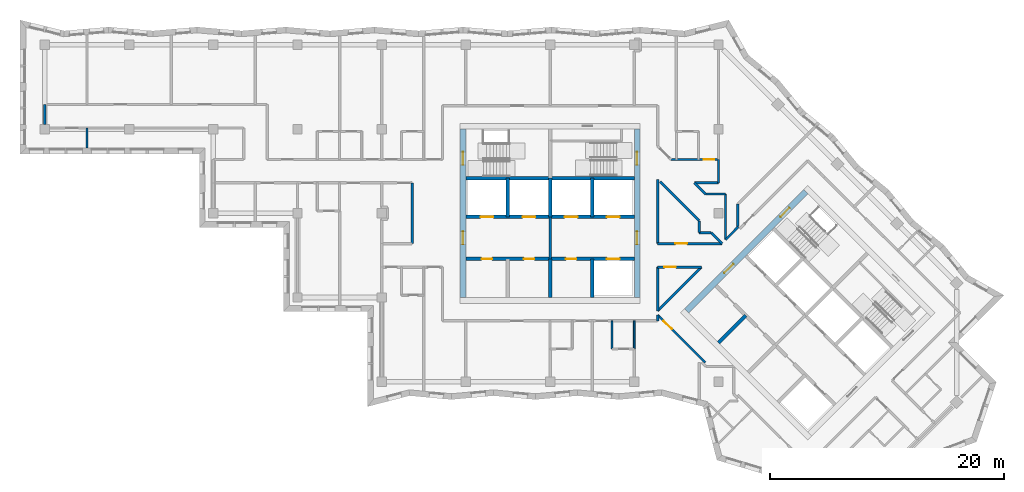
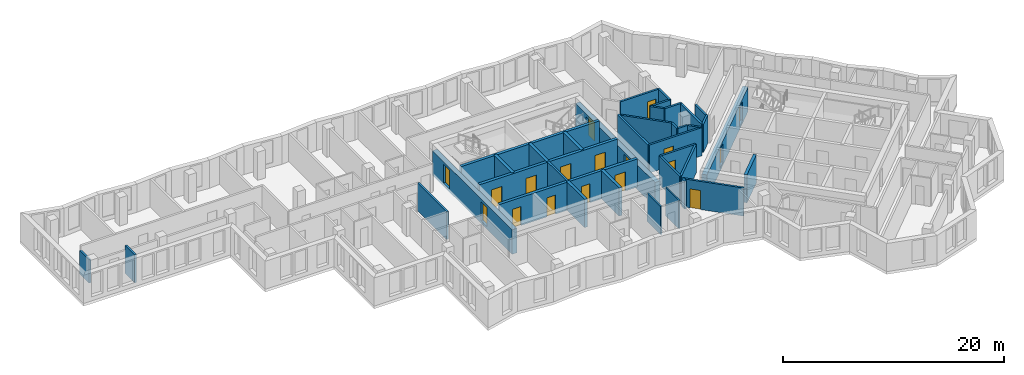
# One storey, part 4 of 11: 38 walls, 18 doors, 18 openings.
"""IFC4 building model written with IfcOpenShell, lengths in metres."""

import ifcopenshell
import ifcopenshell.guid

model = None  # the IFC model being written
_history = None  # IfcOwnerHistory: only IFC2X3 demands one
_inside = {}  # id of a spatial element -> (the spatial element, [elements in it])
_under = {}  # id of a project, library or spatial element -> (it, [spatial elements below it])
_declared = {}  # id of a project -> (the project, [libraries it declares])
_typed = {}  # id of a type object -> (the type object, [elements of that type])
_made_of = {}  # id of a material, layer set ... -> (it, [elements and type objects made of it])


def new_model(schema):
    """Start an empty IFC model of exactly this schema.

    Asked for "IFC4X3", IfcOpenShell would pick the latest addendum, in which some entities
    have other attributes; the version numbers below select the first issue.
    IFC2X3 requires an IfcOwnerHistory on every rooted entity: one is made here for all.
    """
    global model, _history
    if schema == "IFC4X3":
        model = ifcopenshell.file(schema_version=(4, 3, 0, 0))
    else:
        model = ifcopenshell.file(schema=schema)
    _inside.clear()
    _under.clear()
    _declared.clear()
    _typed.clear()
    _made_of.clear()
    _history = None
    if model.schema == "IFC2X3":
        org = make("IfcOrganization", Name="unknown")
        user = make(
            "IfcPersonAndOrganization",
            ThePerson=make("IfcPerson", FamilyName="unknown"),
            TheOrganization=org,
        )
        app = make(
            "IfcApplication",
            ApplicationDeveloper=org,
            Version="unknown",
            ApplicationFullName="unknown",
            ApplicationIdentifier="unknown",
        )
        _history = make(
            "IfcOwnerHistory",
            OwningUser=user,
            OwningApplication=app,
            ChangeAction="ADDED",
            CreationDate=0,
        )
    return model


def make(cls, **values):
    """One entity of the class cls with the attributes given. An attribute that is None is left unset."""
    return model.create_entity(
        cls, **{name: value for name, value in values.items() if value is not None}
    )


def rooted(cls, **values):
    """An entity with a GlobalId (a new one), such as an element, a storey or a relation."""
    return make(cls, GlobalId=ifcopenshell.guid.new(), OwnerHistory=_history, **values)


def si_unit(unit_type, name, prefix=None):
    """IfcSIUnit, for example si_unit("LENGTHUNIT", "METRE", prefix="MILLI")."""
    return make("IfcSIUnit", UnitType=unit_type, Prefix=prefix, Name=name)


def assignment(units):
    """IfcUnitAssignment: the units of a project."""
    return None if units is None else make("IfcUnitAssignment", Units=units)


def point(xyz):
    """IfcCartesianPoint."""
    return None if xyz is None else make("IfcCartesianPoint", Coordinates=xyz)


def direction(xyz):
    """IfcDirection."""
    return None if xyz is None else make("IfcDirection", DirectionRatios=xyz)


def frame(location, z_axis=None, x_axis=None):
    """IfcAxis2Placement3D, a coordinate frame: its origin and axes. An axis left out is left unset."""
    return make(
        "IfcAxis2Placement3D",
        Location=point(location),
        Axis=direction(z_axis),
        RefDirection=direction(x_axis),
    )


def frame_2d(location, x_axis=None):
    """IfcAxis2Placement2D, a coordinate frame in the plane: its origin and x axis."""
    return make(
        "IfcAxis2Placement2D", Location=point(location), RefDirection=direction(x_axis)
    )


def origin():
    """The frame at (0, 0, 0) with its axes left unset."""
    return frame((0.0, 0.0, 0.0))


def place(relative_to, where):
    """IfcLocalPlacement: puts the frame where relative to a parent placement (None: the world)."""
    return make(
        "IfcLocalPlacement", PlacementRelTo=relative_to, RelativePlacement=where
    )


def context(
    kind, dimensions, precision=None, world=None, true_north=None, identifier=None
):
    """IfcGeometricRepresentationContext, for example the 3D "Model" context."""
    return make(
        "IfcGeometricRepresentationContext",
        ContextIdentifier=identifier,
        ContextType=kind,
        CoordinateSpaceDimension=dimensions,
        Precision=precision,
        WorldCoordinateSystem=world,
        TrueNorth=true_north,
    )


def subcontext(parent, identifier, kind, view, scale=None):
    """IfcGeometricRepresentationSubContext, for example "Body" below "Model"."""
    return make(
        "IfcGeometricRepresentationSubContext",
        ContextIdentifier=identifier,
        ContextType=kind,
        ParentContext=parent,
        TargetScale=scale,
        TargetView=view,
    )


def project(units=None, contexts=None):
    """IfcProject with its units and contexts."""
    return rooted(
        "IfcProject",
        Name="project",
        RepresentationContexts=contexts,
        UnitsInContext=assignment(units),
    )


def spatial(cls, under=None, at=None, **own):
    """A site, building, storey or space (cls), placed at a placement, below another one or the project."""
    s = rooted(cls, ObjectPlacement=at, **own)
    if under is not None:
        _under.setdefault(under.id(), (under, []))[1].append(s)
    return s


def profile(cls, at=None, kind="AREA", **sizes):
    """A parametric profile (cls). Its sizes go by their IFC names, for example OverallWidth=200.0."""
    return make(cls, ProfileType=kind, Position=at, **sizes)


def rectangle(**sizes):
    """IfcRectangleProfileDef."""
    return profile("IfcRectangleProfileDef", **sizes)


def extrude(swept, where, along, depth):
    """IfcExtrudedAreaSolid: the profile swept, set in the frame where, extruded along a direction by depth."""
    return make(
        "IfcExtrudedAreaSolid",
        SweptArea=swept,
        Position=where,
        ExtrudedDirection=direction(along),
        Depth=depth,
    )


def shape(context_of_items, identifier, shape_type, items):
    """IfcShapeRepresentation: the items that make up one representation, for example the "Body"."""
    return make(
        "IfcShapeRepresentation",
        ContextOfItems=context_of_items,
        RepresentationIdentifier=identifier,
        RepresentationType=shape_type,
        Items=items,
    )


def material(Name=None, Category=None):
    """IfcMaterial."""
    return make("IfcMaterial", Name=Name, Category=Category)


def layer(
    of_material, thickness, ventilated=None, Name=None, Category=None, Priority=None
):
    """IfcMaterialLayer: one layer of a wall or slab, of a material (None: an air gap)."""
    return make(
        "IfcMaterialLayer",
        Material=of_material,
        LayerThickness=thickness,
        IsVentilated=ventilated,
        Name=Name,
        Category=Category,
        Priority=Priority,
    )


def layer_set(layers, Name=None):
    """IfcMaterialLayerSet."""
    return make("IfcMaterialLayerSet", MaterialLayers=layers, LayerSetName=Name)


def made_of(thing, what):
    """Note that an element or type object is made of a material, layer set ...; save() writes the relation."""
    if what is not None:
        _made_of.setdefault(what.id(), (what, []))[1].append(thing)
    return thing


def type_object(cls, material=None, **own):
    """A type object (cls), such as IfcWallType, which elements share."""
    return made_of(rooted(cls, **own), material)


def element(
    cls,
    number,
    at=None,
    inside=None,
    cuts=None,
    type_object=None,
    material=None,
    context=None,
    identifier="Body",
    shape_type=None,
    held_by="IfcProductDefinitionShape",
    body=None,
    shapes=None,
    **own,
):
    """One element of the class cls, such as IfcWall. Its Tag is "e" and its number.

    at: its placement. inside: the storey or other place that contains it. cuts: it is an
    opening in that element (IfcRelVoidsElement). A single representation is given by context,
    identifier, shape_type and body (its items); several are given by shapes. held_by: the class
    of the entity that holds the representations. save() writes the other relations.
    """
    e = rooted(cls, Tag="e%d" % number, ObjectPlacement=at, **own)
    if body is not None:
        shapes = [shape(context, identifier, shape_type, body)]
    if shapes is not None:
        e.Representation = make(held_by, Representations=shapes)
    if inside is not None:
        _inside.setdefault(inside.id(), (inside, []))[1].append(e)
    if cuts is not None:
        rooted(
            "IfcRelVoidsElement", RelatingBuildingElement=cuts, RelatedOpeningElement=e
        )
    if type_object is not None:
        _typed.setdefault(type_object.id(), (type_object, []))[1].append(e)
    return made_of(e, material)


def fill(opening, filler):
    """IfcRelFillsElement: the door or window that sits in an opening."""
    return rooted(
        "IfcRelFillsElement",
        RelatingOpeningElement=opening,
        RelatedBuildingElement=filler,
    )


def aggregate(whole, parts):
    """IfcRelAggregates: a whole, such as a stair, and the parts it consists of."""
    return rooted("IfcRelAggregates", RelatingObject=whole, RelatedObjects=parts)


def save(model, path):
    """Write the relations noted so far, then the file.

    IfcRelAggregates (storeys below a building ...), IfcRelContainedInSpatialStructure (elements
    in a storey), IfcRelDefinesByType, IfcRelAssociatesMaterial and IfcRelDeclares: one each for
    every whole, place, type object, material and project.
    """
    for whole, parts in _under.values():
        aggregate(whole, parts)
    for where, things in _inside.values():
        rooted(
            "IfcRelContainedInSpatialStructure",
            RelatedElements=things,
            RelatingStructure=where,
        )
    for kind, things in _typed.values():
        rooted("IfcRelDefinesByType", RelatedObjects=things, RelatingType=kind)
    for what, things in _made_of.values():
        rooted("IfcRelAssociatesMaterial", RelatedObjects=things, RelatingMaterial=what)
    for by, libraries in _declared.values():
        rooted("IfcRelDeclares", RelatingContext=by, RelatedDefinitions=libraries)
    model.write(path)


model = new_model("IFC4")

# Units and contexts
model_context = context("Model", 3, precision=1e-05, world=origin(), true_north=direction((0.0, 1.0)))
body_context = subcontext(model_context, "Body", "Model", "MODEL_VIEW")
ifc_project = project(units=[si_unit("LENGTHUNIT", "METRE"), si_unit("AREAUNIT", "SQUARE_METRE"), si_unit("VOLUMEUNIT", "CUBIC_METRE"), si_unit("PLANEANGLEUNIT", "RADIAN"), si_unit("MASSUNIT", "GRAM", prefix="KILO")], contexts=[model_context])

# Site, building, storey
site_placement = place(None, origin())
site = spatial("IfcSite", under=ifc_project, at=site_placement, CompositionType="ELEMENT")
building_placement = place(site_placement, origin())
building = spatial("IfcBuilding", under=site, at=building_placement, Name="Windrow Commons", CompositionType="ELEMENT")
storey_placement = place(building_placement, frame((0.0, 0.0, 193.0)))
storey = spatial("IfcBuildingStorey", under=building, at=storey_placement, Name="L52", CompositionType="ELEMENT", Elevation=193.0)

# Wall
ifc_material_1 = material(Name="Blockwork partition", Category="masonry")
ifc_layer_1 = layer(ifc_material_1, 0.2)
ifc_layer_set_1 = layer_set([ifc_layer_1], Name="Fire lobby partition 200")
wall_type_1 = type_object("IfcWallType", Name="Fire lobby partition 200", PredefinedType="PARTITIONING", material=ifc_layer_set_1)
wall_1_placement = place(storey_placement, frame((64.8, 53.7, 0.0), z_axis=(0.0, 0.0, 1.0), x_axis=(0.0, 1.0, 0.0)))
element("IfcWall", 1, at=wall_1_placement, inside=storey, type_object=wall_type_1, Name="W-core-lobby-A-L52", PredefinedType="PARTITIONING", context=body_context, shape_type="SweptSolid", body=[
    extrude(rectangle(XDim=3.6, YDim=0.2, at=frame_2d((1.8, 0.0))), origin(), (0.0, 0.0, 1.0), 3.1),
])

# Wall, opening, door
ifc_material_2 = material(Name="Blockwork partition", Category="masonry")
ifc_layer_2 = layer(ifc_material_2, 0.2)
ifc_layer_set_2 = layer_set([ifc_layer_2], Name="IW-CORRIDOR-200")
wall_type_2 = type_object("IfcWallType", Name="IW-CORRIDOR-200", PredefinedType="PARTITIONING", material=ifc_layer_set_2)
wall_2_placement = place(storey_placement, frame((73.9987, 48.9107, 0.0), z_axis=(0.0, 0.0, 1.0), x_axis=(0.7071067812, -0.7071067812, 0.0)))
wall_2 = element("IfcWall", 2, at=wall_2_placement, inside=storey, type_object=wall_type_2, Name="W-L52-W028", PredefinedType="PARTITIONING", context=body_context, shape_type="SweptSolid", body=[
    extrude(rectangle(XDim=5.7445, YDim=0.2, at=frame_2d((2.8723, 0.0))), origin(), (0.0, 0.0, 1.0), 3.1),
])
opening_1_placement = place(wall_2_placement, frame((0.7238, 0.0, 0.0)))
opening_1 = element("IfcOpeningElement", 3, at=opening_1_placement, cuts=wall_2, Name="Opening D310F", PredefinedType="OPENING", context=body_context, shape_type="SweptSolid", body=[
    extrude(rectangle(XDim=1.0, YDim=2.1, at=frame_2d((0.5, 1.05))), frame((0.0, 0.11, 0.0), z_axis=(0.0, -1.0, 0.0), x_axis=(1.0, 0.0, 0.0)), (0.0, 0.0, 1.0), 0.22),
])
ifc_material_3 = material(Name="Timber door leaf", Category="wood")
door_type_1 = type_object("IfcDoorType", Name="DT-AMENITY-1000", OperationType="SINGLE_SWING_LEFT", PredefinedType="DOOR", material=ifc_material_3)
door_1_placement = place(opening_1_placement, origin())
door_1 = element("IfcDoor", 4, at=door_1_placement, inside=storey, type_object=door_type_1, Name="D-L52-D030", OperationType="SINGLE_SWING_LEFT", OverallHeight=2.1, OverallWidth=1.0, PredefinedType="DOOR", context=body_context, shape_type="SweptSolid", body=[
    extrude(rectangle(XDim=1.0, YDim=2.1, at=frame_2d((0.5, 1.05))), frame((0.0, 0.025, 0.0), z_axis=(0.0, -1.0, 0.0), x_axis=(1.0, 0.0, 0.0)), (0.0, 0.0, 1.0), 0.05),
])
fill(opening_1, door_1)

wall_3_placement = place(storey_placement, frame((74.002, 55.0, 0.0), z_axis=(0.0, 0.0, 1.0), x_axis=(1.0, 0.0, 0.0)))
wall_3 = element("IfcWall", 5, at=wall_3_placement, inside=storey, type_object=wall_type_2, Name="W-L52-W030", PredefinedType="PARTITIONING", context=body_context, shape_type="SweptSolid", body=[
    extrude(rectangle(XDim=5.508, YDim=0.2, at=frame_2d((2.754, 0.0))), origin(), (0.0, 0.0, 1.0), 3.1),
])
opening_2_placement = place(wall_3_placement, frame((1.51, 0.0, 0.0)))
opening_2 = element("IfcOpeningElement", 6, at=opening_2_placement, cuts=wall_3, Name="Opening D410F", PredefinedType="OPENING", context=body_context, shape_type="SweptSolid", body=[
    extrude(rectangle(XDim=1.0, YDim=2.1, at=frame_2d((0.5, 1.05))), frame((0.0, 0.11, 0.0), z_axis=(0.0, -1.0, 0.0), x_axis=(1.0, 0.0, 0.0)), (0.0, 0.0, 1.0), 0.22),
])
ifc_material_4 = material(Name="Timber door leaf", Category="wood")
door_type_2 = type_object("IfcDoorType", Name="DT-SERVICE-1000", OperationType="SINGLE_SWING_LEFT", PredefinedType="DOOR", material=ifc_material_4)
door_2_placement = place(opening_2_placement, origin())
door_2 = element("IfcDoor", 7, at=door_2_placement, inside=storey, type_object=door_type_2, Name="D-L52-D031", OperationType="SINGLE_SWING_LEFT", OverallHeight=2.1, OverallWidth=1.0, PredefinedType="DOOR", context=body_context, shape_type="SweptSolid", body=[
    extrude(rectangle(XDim=1.0, YDim=2.1, at=frame_2d((0.5, 1.05))), frame((0.0, 0.025, 0.0), z_axis=(0.0, -1.0, 0.0), x_axis=(1.0, 0.0, 0.0)), (0.0, 0.0, 1.0), 0.05),
])
fill(opening_2, door_2)

# Walls
wall_4_placement = place(storey_placement, frame((74.0, 55.002, 0.0), z_axis=(0.0, 0.0, 1.0), x_axis=(0.0, 1.0, 0.0)))
element("IfcWall", 8, at=wall_4_placement, inside=storey, type_object=wall_type_2, Name="W-L52-W031", PredefinedType="PARTITIONING", context=body_context, shape_type="SweptSolid", body=[
    extrude(rectangle(XDim=5.508, YDim=0.2, at=frame_2d((2.754, 0.0))), origin(), (0.0, 0.0, 1.0), 3.1),
])
wall_5_placement = place(storey_placement, frame((74.0013, 49.2667, 0.0), z_axis=(0.0, 0.0, 1.0), x_axis=(0.7071067812, 0.7071067812, 0.0)))
element("IfcWall", 9, at=wall_5_placement, inside=storey, type_object=wall_type_2, Name="W-L52-W032", PredefinedType="PARTITIONING", context=body_context, shape_type="SweptSolid", body=[
    extrude(rectangle(XDim=5.2778, YDim=0.2, at=frame_2d((2.6389, 0.0))), origin(), (0.0, 0.0, 1.0), 3.1),
])
wall_6_placement = place(storey_placement, frame((53.0, 55.002, 0.0), z_axis=(0.0, 0.0, 1.0), x_axis=(0.0, 1.0, 0.0)))
element("IfcWall", 10, at=wall_6_placement, inside=storey, type_object=wall_type_2, Name="W-L52-W036", PredefinedType="PARTITIONING", context=body_context, shape_type="SweptSolid", body=[
    extrude(rectangle(XDim=5.198, YDim=0.2, at=frame_2d((2.599, 0.0))), origin(), (0.0, 0.0, 1.0), 3.1),
])
wall_7_placement = place(storey_placement, frame((74.1969, 60.3089, 0.0), z_axis=(0.0, 0.0, 1.0), x_axis=(0.7071067812, -0.7071067812, 0.0)))
element("IfcWall", 11, at=wall_7_placement, inside=storey, type_object=wall_type_2, Name="W-L52-W040", PredefinedType="PARTITIONING", context=body_context, shape_type="SweptSolid", body=[
    extrude(rectangle(XDim=4.7376, YDim=0.2, at=frame_2d((2.3688, 0.0))), origin(), (0.0, 0.0, 1.0), 3.1),
])

# Wall, opening, door
wall_8_placement = place(storey_placement, frame((75.142, 62.2, 0.0), z_axis=(0.0, 0.0, 1.0), x_axis=(1.0, 0.0, 0.0)))
wall_8 = element("IfcWall", 12, at=wall_8_placement, inside=storey, type_object=wall_type_2, Name="W-L52-W045", PredefinedType="PARTITIONING", context=body_context, shape_type="SweptSolid", body=[
    extrude(rectangle(XDim=4.058, YDim=0.2, at=frame_2d((2.029, 0.0))), origin(), (0.0, 0.0, 1.0), 3.1),
])
opening_3_placement = place(wall_8_placement, frame((2.808, 0.0, 0.0)))
opening_3 = element("IfcOpeningElement", 13, at=opening_3_placement, cuts=wall_8, Name="Opening D109S", PredefinedType="OPENING", context=body_context, shape_type="SweptSolid", body=[
    extrude(rectangle(XDim=0.9, YDim=2.1, at=frame_2d((0.45, 1.05))), frame((0.0, 0.11, 0.0), z_axis=(0.0, -1.0, 0.0), x_axis=(1.0, 0.0, 0.0)), (0.0, 0.0, 1.0), 0.22),
])
ifc_material_5 = material(Name="Timber door leaf", Category="wood")
door_type_3 = type_object("IfcDoorType", Name="DT-BEDROOM-900", OperationType="SINGLE_SWING_LEFT", PredefinedType="DOOR", material=ifc_material_5)
door_3_placement = place(opening_3_placement, origin())
door_3 = element("IfcDoor", 14, at=door_3_placement, inside=storey, type_object=door_type_3, Name="D-L52-D018", OperationType="SINGLE_SWING_LEFT", OverallHeight=2.1, OverallWidth=0.9, PredefinedType="DOOR", context=body_context, shape_type="SweptSolid", body=[
    extrude(rectangle(XDim=0.9, YDim=2.1, at=frame_2d((0.45, 1.05))), frame((0.0, 0.025, 0.0), z_axis=(0.0, -1.0, 0.0), x_axis=(1.0, 0.0, 0.0)), (0.0, 0.0, 1.0), 0.05),
])
fill(opening_3, door_3)

# Walls
wall_9_placement = place(storey_placement, frame((79.8, 55.35, 0.0), z_axis=(0.0, 0.0, 1.0), x_axis=(0.0, 1.0, 0.0)))
element("IfcWall", 15, at=wall_9_placement, inside=storey, type_object=wall_type_2, Name="W-L52-W047", PredefinedType="PARTITIONING", context=body_context, shape_type="SweptSolid", body=[
    extrude(rectangle(XDim=3.9, YDim=0.2, at=frame_2d((1.95, 0.0))), origin(), (0.0, 0.0, 1.0), 3.1),
])
wall_10_placement = place(storey_placement, frame((74.0, 49.266, 0.0), z_axis=(0.0, 0.0, 1.0), x_axis=(0.0, 1.0, 0.0)))
element("IfcWall", 16, at=wall_10_placement, inside=storey, type_object=wall_type_2, Name="W-L52-W049", PredefinedType="PARTITIONING", context=body_context, shape_type="SweptSolid", body=[
    extrude(rectangle(XDim=3.734, YDim=0.2, at=frame_2d((1.867, 0.0))), origin(), (0.0, 0.0, 1.0), 3.1),
])

# Wall, opening, door
wall_11_placement = place(storey_placement, frame((74.002, 53.0, 0.0), z_axis=(0.0, 0.0, 1.0), x_axis=(1.0, 0.0, 0.0)))
wall_11 = element("IfcWall", 17, at=wall_11_placement, inside=storey, type_object=wall_type_2, Name="W-L52-W050", PredefinedType="PARTITIONING", context=body_context, shape_type="SweptSolid", body=[
    extrude(rectangle(XDim=3.732, YDim=0.2, at=frame_2d((1.866, 0.0))), origin(), (0.0, 0.0, 1.0), 3.1),
])
opening_4_placement = place(wall_11_placement, frame((0.5641, 0.0, 0.0)))
opening_4 = element("IfcOpeningElement", 18, at=opening_4_placement, cuts=wall_11, Name="Opening D410F", PredefinedType="OPENING", context=body_context, shape_type="SweptSolid", body=[
    extrude(rectangle(XDim=1.0, YDim=2.1, at=frame_2d((0.5, 1.05))), frame((0.0, 0.11, 0.0), z_axis=(0.0, -1.0, 0.0), x_axis=(1.0, 0.0, 0.0)), (0.0, 0.0, 1.0), 0.22),
])
door_4_placement = place(opening_4_placement, origin())
door_4 = element("IfcDoor", 19, at=door_4_placement, inside=storey, type_object=door_type_2, Name="D-L52-D000", OperationType="SINGLE_SWING_RIGHT", OverallHeight=2.1, OverallWidth=1.0, PredefinedType="DOOR", context=body_context, shape_type="SweptSolid", body=[
    extrude(rectangle(XDim=1.0, YDim=2.1, at=frame_2d((0.5, 1.05))), frame((0.0, 0.025, 0.0), z_axis=(0.0, -1.0, 0.0), x_axis=(1.0, 0.0, 0.0)), (0.0, 0.0, 1.0), 0.05),
])
fill(opening_4, door_4)

# Walls
wall_12_placement = place(storey_placement, frame((77.144, 60.2, 0.0), z_axis=(0.0, 0.0, 1.0), x_axis=(1.0, 0.0, 0.0)))
element("IfcWall", 20, at=wall_12_placement, inside=storey, type_object=wall_type_2, Name="W-L52-W094", PredefinedType="PARTITIONING", context=body_context, shape_type="SweptSolid", body=[
    extrude(rectangle(XDim=2.056, YDim=0.2, at=frame_2d((1.028, 0.0))), origin(), (0.0, 0.0, 1.0), 3.1),
])
wall_13_placement = place(storey_placement, frame((79.2, 60.2, 0.0), z_axis=(0.0, 0.0, 1.0), x_axis=(0.0, 1.0, 0.0)))
element("IfcWall", 21, at=wall_13_placement, inside=storey, type_object=wall_type_2, Name="W-L52-W100", PredefinedType="PARTITIONING", context=body_context, shape_type="SweptSolid", body=[
    extrude(rectangle(XDim=2.0, YDim=0.2, at=frame_2d((1.0, 0.0))), origin(), (0.0, 0.0, 1.0), 3.1),
])
wall_14_placement = place(storey_placement, frame((78.092, 59.25, 0.0), z_axis=(0.0, 0.0, 1.0), x_axis=(1.0, 0.0, 0.0)))
element("IfcWall", 22, at=wall_14_placement, inside=storey, type_object=wall_type_2, Name="W-L52-W112", PredefinedType="PARTITIONING", context=body_context, shape_type="SweptSolid", body=[
    extrude(rectangle(XDim=1.708, YDim=0.2, at=frame_2d((0.854, 0.0))), origin(), (0.0, 0.0, 1.0), 3.1),
])
wall_15_placement = place(storey_placement, frame((21.6, 65.2, 0.0), z_axis=(0.0, 0.0, 1.0), x_axis=(0.0, 1.0, 0.0)))
element("IfcWall", 23, at=wall_15_placement, inside=storey, type_object=wall_type_2, Name="W-L52-W113", PredefinedType="PARTITIONING", context=body_context, shape_type="SweptSolid", body=[
    extrude(rectangle(XDim=1.698, YDim=0.2, at=frame_2d((0.849, 0.0))), origin(), (0.0, 0.0, 1.0), 2.6),
])
wall_16_placement = place(storey_placement, frame((79.8028, 55.3472, 0.0), z_axis=(0.0, 0.0, 1.0), x_axis=(0.706460727, 0.7077522457, 0.0)))
element("IfcWall", 24, at=wall_16_placement, inside=storey, type_object=wall_type_2, Name="W-L52-W116", PredefinedType="PARTITIONING", context=body_context, shape_type="SweptSolid", body=[
    extrude(rectangle(XDim=1.5486, YDim=0.2, at=frame_2d((0.7743, 0.0))), origin(), (0.0, 0.0, 1.0), 3.1),
])
for number, where, z_axis, x_axis, name in (
    (25, (78.5589, 55.9469, 0.0), (0.0, 0.0, 1.0), (0.7071067812, -0.7071067812, 0.0), "W-L52-W119"),
    (26, (77.1391, 60.1951, 0.0), (0.0, 0.0, 1.0), (0.7071067812, -0.7071067812, 0.0), "W-L52-W120"),
):
    element("IfcWall", number, at=place(storey_placement, frame(where, z_axis=z_axis, x_axis=x_axis)), inside=storey, type_object=wall_type_2, Name=name, PredefinedType="PARTITIONING", context=body_context, shape_type="SweptSolid", body=[
        extrude(rectangle(XDim=1.3407, YDim=0.2, at=frame_2d((0.6704, 0.0))), origin(), (0.0, 0.0, 1.0), 3.1),
    ])
for number, where, z_axis, x_axis, name in (
    (27, (77.55, 55.952, 0.0), (0.0, 0.0, 1.0), (0.0, 1.0, 0.0), "W-L52-W124"),
    (28, (77.552, 55.95, 0.0), (0.0, 0.0, 1.0), (1.0, 0.0, 0.0), "W-L52-W125"),
):
    element("IfcWall", number, at=place(storey_placement, frame(where, z_axis=z_axis, x_axis=x_axis)), inside=storey, type_object=wall_type_2, Name=name, PredefinedType="PARTITIONING", context=body_context, shape_type="SweptSolid", body=[
        extrude(rectangle(XDim=1.01, YDim=0.2, at=frame_2d((0.505, 0.0))), origin(), (0.0, 0.0, 1.0), 3.1),
    ])
wall_17_placement = place(storey_placement, frame((74.0, 48.4, 0.0), z_axis=(0.0, 0.0, 1.0), x_axis=(0.0, 1.0, 0.0)))
element("IfcWall", 29, at=wall_17_placement, inside=storey, type_object=wall_type_2, Name="W-L52-W129", PredefinedType="PARTITIONING", context=body_context, shape_type="SweptSolid", body=[
    extrude(rectangle(XDim=0.514, YDim=0.2, at=frame_2d((0.257, 0.0))), origin(), (0.0, 0.0, 1.0), 3.1),
])
ifc_material_6 = material(Name="Blockwork partition", Category="masonry")
ifc_layer_3 = layer(ifc_material_6, 0.15)
ifc_layer_set_3 = layer_set([ifc_layer_3], Name="IW-ENSUITE-150")
wall_type_3 = type_object("IfcWallType", Name="IW-ENSUITE-150", PredefinedType="PARTITIONING", material=ifc_layer_set_3)
for number, where, z_axis, x_axis, name in (
    (30, (70.1, 46.0, 0.0), (0.0, 0.0, 1.0), (0.0, 1.0, 0.0), "W-L52-W071"),
    (31, (72.0, 46.0, 0.0), (0.0, 0.0, 1.0), (0.0, 1.0, 0.0), "W-L52-W073"),
):
    element("IfcWall", number, at=place(storey_placement, frame(where, z_axis=z_axis, x_axis=x_axis)), inside=storey, type_object=wall_type_3, Name=name, PredefinedType="PARTITIONING", context=body_context, shape_type="SweptSolid", body=[
        extrude(rectangle(XDim=2.4, YDim=0.15, at=frame_2d((1.2, 0.0))), origin(), (0.0, 0.0, 1.0), 3.1),
    ])
ifc_material_7 = material(Name="Blockwork partition", Category="masonry")
ifc_layer_4 = layer(ifc_material_7, 0.2)
ifc_layer_set_4 = layer_set([ifc_layer_4], Name="IW-PARTY-200")
wall_type_4 = type_object("IfcWallType", Name="IW-PARTY-200", PredefinedType="PARTITIONING", material=ifc_layer_set_4)
wall_18_placement = place(storey_placement, frame((80.85, 56.49, 0.0), z_axis=(0.0, 0.0, 1.0), x_axis=(0.0, 1.0, 0.0)))
element("IfcWall", 32, at=wall_18_placement, inside=storey, type_object=wall_type_4, Name="W-L52-W111", PredefinedType="PARTITIONING", context=body_context, shape_type="SweptSolid", body=[
    extrude(rectangle(XDim=1.886, YDim=0.2, at=frame_2d((0.943, 0.0))), origin(), (0.0, 0.0, 1.0), 3.1),
])
wall_19_placement = place(storey_placement, frame((25.2, 63.17, 0.0), z_axis=(0.0, 0.0, 1.0), x_axis=(0.0, 1.0, 0.0)))
element("IfcWall", 33, at=wall_19_placement, inside=storey, type_object=wall_type_4, Name="W-L52-W114", PredefinedType="PARTITIONING", context=body_context, shape_type="SweptSolid", body=[
    extrude(rectangle(XDim=1.73, YDim=0.2, at=frame_2d((0.865, 0.0))), origin(), (0.0, 0.0, 1.0), 3.1),
])

# Wall, openings, doors
ifc_material_8 = material(Name="Concrete C40/50", Category="concrete")
ifc_layer_5 = layer(ifc_material_8, 0.5)
ifc_layer_set_5 = layer_set([ifc_layer_5], Name="RC CORE WALL 500 C40/50")
wall_type_5 = type_object("IfcWallType", Name="RC CORE WALL 500 C40/50", PredefinedType="SHEAR", material=ifc_layer_set_5)
wall_20_placement = place(storey_placement, frame((57.35, 50.4, -0.3), z_axis=(0.0, 0.0, 1.0), x_axis=(0.0, 1.0, 0.0)))
wall_20 = element("IfcWall", 34, at=wall_20_placement, inside=storey, type_object=wall_type_5, Name="Core A wall outer-W", PredefinedType="SHEAR", context=body_context, shape_type="SweptSolid", body=[
    extrude(rectangle(XDim=14.4, YDim=0.5, at=frame_2d((7.2, 0.0))), origin(), (0.0, 0.0, 1.0), 2.7),
])
opening_5_placement = place(wall_20_placement, frame((4.55, 0.0, 0.3)))
opening_5 = element("IfcOpeningElement", 35, at=opening_5_placement, cuts=wall_20, Name="Opening D6", PredefinedType="OPENING", context=body_context, shape_type="SweptSolid", body=[
    extrude(rectangle(XDim=1.1, YDim=2.1, at=frame_2d((0.55, 1.05))), frame((0.0, 0.26, 0.0), z_axis=(0.0, -1.0, 0.0), x_axis=(1.0, 0.0, 0.0)), (0.0, 0.0, 1.0), 0.52),
])
opening_6_placement = place(wall_20_placement, frame((11.35, 0.0, 0.3)))
opening_6 = element("IfcOpeningElement", 36, at=opening_6_placement, cuts=wall_20, Name="Opening D7", PredefinedType="OPENING", context=body_context, shape_type="SweptSolid", body=[
    extrude(rectangle(XDim=1.1, YDim=2.1, at=frame_2d((0.55, 1.05))), frame((0.0, 0.26, 0.0), z_axis=(0.0, -1.0, 0.0), x_axis=(1.0, 0.0, 0.0)), (0.0, 0.0, 1.0), 0.52),
])
ifc_material_9 = material(Name="Steel fire door leaf", Category="steel")
door_type_4 = type_object("IfcDoorType", Name="Core lobby door 1100", OperationType="SINGLE_SWING_LEFT", PredefinedType="DOOR", material=ifc_material_9)
door_5_placement = place(opening_5_placement, origin())
door_5 = element("IfcDoor", 37, at=door_5_placement, inside=storey, type_object=door_type_4, Name="Lift lobby door", OperationType="DOUBLE_DOOR_SINGLE_SWING", OverallHeight=2.1, OverallWidth=1.1, PredefinedType="DOOR", context=body_context, shape_type="SweptSolid", body=[
    extrude(rectangle(XDim=1.1, YDim=2.1, at=frame_2d((0.55, 1.05))), frame((0.0, 0.025, 0.0), z_axis=(0.0, -1.0, 0.0), x_axis=(1.0, 0.0, 0.0)), (0.0, 0.0, 1.0), 0.05),
])
fill(opening_5, door_5)
ifc_material_10 = material(Name="Steel fire door leaf", Category="steel")
door_type_5 = type_object("IfcDoorType", Name="Stair door 1100", OperationType="SINGLE_SWING_LEFT", PredefinedType="DOOR", material=ifc_material_10)
door_6_placement = place(opening_6_placement, origin())
door_6 = element("IfcDoor", 38, at=door_6_placement, inside=storey, type_object=door_type_5, Name="Stair door", OperationType="SINGLE_SWING_LEFT", OverallHeight=2.1, OverallWidth=1.1, PredefinedType="DOOR", context=body_context, shape_type="SweptSolid", body=[
    extrude(rectangle(XDim=1.1, YDim=2.1, at=frame_2d((0.55, 1.05))), frame((0.0, 0.025, 0.0), z_axis=(0.0, -1.0, 0.0), x_axis=(1.0, 0.0, 0.0)), (0.0, 0.0, 1.0), 0.05),
])
fill(opening_6, door_6)

wall_21_placement = place(storey_placement, frame((72.25, 50.4, -0.3), z_axis=(0.0, 0.0, 1.0), x_axis=(0.0, 1.0, 0.0)))
wall_21 = element("IfcWall", 39, at=wall_21_placement, inside=storey, type_object=wall_type_5, Name="Core A wall outer-E", PredefinedType="SHEAR", context=body_context, shape_type="SweptSolid", body=[
    extrude(rectangle(XDim=14.4, YDim=0.5, at=frame_2d((7.2, 0.0))), origin(), (0.0, 0.0, 1.0), 2.7),
])
opening_7_placement = place(wall_21_placement, frame((4.55, 0.0, 0.3)))
opening_7 = element("IfcOpeningElement", 40, at=opening_7_placement, cuts=wall_21, Name="Opening D6", PredefinedType="OPENING", context=body_context, shape_type="SweptSolid", body=[
    extrude(rectangle(XDim=1.1, YDim=2.1, at=frame_2d((0.55, 1.05))), frame((0.0, 0.26, 0.0), z_axis=(0.0, -1.0, 0.0), x_axis=(1.0, 0.0, 0.0)), (0.0, 0.0, 1.0), 0.52),
])
opening_8_placement = place(wall_21_placement, frame((11.35, 0.0, 0.3)))
opening_8 = element("IfcOpeningElement", 41, at=opening_8_placement, cuts=wall_21, Name="Opening D7", PredefinedType="OPENING", context=body_context, shape_type="SweptSolid", body=[
    extrude(rectangle(XDim=1.1, YDim=2.1, at=frame_2d((0.55, 1.05))), frame((0.0, 0.26, 0.0), z_axis=(0.0, -1.0, 0.0), x_axis=(1.0, 0.0, 0.0)), (0.0, 0.0, 1.0), 0.52),
])
door_7_placement = place(opening_7_placement, origin())
door_7 = element("IfcDoor", 42, at=door_7_placement, inside=storey, type_object=door_type_4, Name="Lift lobby door", OperationType="DOUBLE_DOOR_SINGLE_SWING", OverallHeight=2.1, OverallWidth=1.1, PredefinedType="DOOR", context=body_context, shape_type="SweptSolid", body=[
    extrude(rectangle(XDim=1.1, YDim=2.1, at=frame_2d((0.55, 1.05))), frame((0.0, 0.025, 0.0), z_axis=(0.0, -1.0, 0.0), x_axis=(1.0, 0.0, 0.0)), (0.0, 0.0, 1.0), 0.05),
])
fill(opening_7, door_7)
door_8_placement = place(opening_8_placement, origin())
door_8 = element("IfcDoor", 43, at=door_8_placement, inside=storey, type_object=door_type_5, Name="Stair door", OperationType="SINGLE_SWING_RIGHT", OverallHeight=2.1, OverallWidth=1.1, PredefinedType="DOOR", context=body_context, shape_type="SweptSolid", body=[
    extrude(rectangle(XDim=1.1, YDim=2.1, at=frame_2d((0.55, 1.05))), frame((0.0, 0.025, 0.0), z_axis=(0.0, -1.0, 0.0), x_axis=(1.0, 0.0, 0.0)), (0.0, 0.0, 1.0), 0.05),
])
fill(opening_8, door_8)

wall_22_placement = place(storey_placement, frame((76.4776, 49.2665, -0.3), z_axis=(0.0, 0.0, 1.0), x_axis=(0.7071067812, 0.7071067812, 0.0)))
wall_22 = element("IfcWall", 44, at=wall_22_placement, inside=storey, type_object=wall_type_5, Name="Core B wall outer-W", PredefinedType="SHEAR", context=body_context, shape_type="SweptSolid", body=[
    extrude(rectangle(XDim=14.4001, YDim=0.5, at=frame_2d((7.2001, 0.0))), origin(), (0.0, 0.0, 1.0), 2.7),
])
opening_9_placement = place(wall_22_placement, frame((4.55, 0.0, 0.3)))
opening_9 = element("IfcOpeningElement", 45, at=opening_9_placement, cuts=wall_22, Name="Opening D6", PredefinedType="OPENING", context=body_context, shape_type="SweptSolid", body=[
    extrude(rectangle(XDim=1.1, YDim=2.1, at=frame_2d((0.55, 1.05))), frame((0.0, 0.26, 0.0), z_axis=(0.0, -1.0, 0.0), x_axis=(1.0, 0.0, 0.0)), (0.0, 0.0, 1.0), 0.52),
])
opening_10_placement = place(wall_22_placement, frame((11.35, 0.0, 0.3)))
opening_10 = element("IfcOpeningElement", 46, at=opening_10_placement, cuts=wall_22, Name="Opening D7", PredefinedType="OPENING", context=body_context, shape_type="SweptSolid", body=[
    extrude(rectangle(XDim=1.1, YDim=2.1, at=frame_2d((0.55, 1.05))), frame((0.0, 0.26, 0.0), z_axis=(0.0, -1.0, 0.0), x_axis=(1.0, 0.0, 0.0)), (0.0, 0.0, 1.0), 0.52),
])
door_9_placement = place(opening_9_placement, origin())
door_9 = element("IfcDoor", 47, at=door_9_placement, inside=storey, type_object=door_type_4, Name="Lift lobby door", OperationType="DOUBLE_DOOR_SINGLE_SWING", OverallHeight=2.1, OverallWidth=1.1, PredefinedType="DOOR", context=body_context, shape_type="SweptSolid", body=[
    extrude(rectangle(XDim=1.1, YDim=2.1, at=frame_2d((0.55, 1.05))), frame((0.0, 0.025, 0.0), z_axis=(0.0, -1.0, 0.0), x_axis=(1.0, 0.0, 0.0)), (0.0, 0.0, 1.0), 0.05),
])
fill(opening_9, door_9)
door_10_placement = place(opening_10_placement, origin())
door_10 = element("IfcDoor", 48, at=door_10_placement, inside=storey, type_object=door_type_5, Name="Stair door", OperationType="SINGLE_SWING_LEFT", OverallHeight=2.1, OverallWidth=1.1, PredefinedType="DOOR", context=body_context, shape_type="SweptSolid", body=[
    extrude(rectangle(XDim=1.1, YDim=2.1, at=frame_2d((0.55, 1.05))), frame((0.0, 0.025, 0.0), z_axis=(0.0, -1.0, 0.0), x_axis=(1.0, 0.0, 0.0)), (0.0, 0.0, 1.0), 0.05),
])
fill(opening_10, door_10)

# Walls
ifc_material_11 = material(Name="Concrete C40/50", Category="concrete")
ifc_layer_6 = layer(ifc_material_11, 0.3)
ifc_layer_set_6 = layer_set([ifc_layer_6], Name="RC SHAFT WALL 300 C40/50")
wall_type_6 = type_object("IfcWallType", Name="RC SHAFT WALL 300 C40/50", PredefinedType="SOLIDWALL", material=ifc_layer_set_6)
for number, where, z_axis, x_axis, name in (
    (49, (61.2, 57.3, 0.0), (0.0, 0.0, 1.0), (0.0, 1.0, 0.0), "Core A wall shaft-N1"),
    (50, (64.8, 50.4, 0.0), (0.0, 0.0, 1.0), (0.0, 1.0, 0.0), "Core A wall shaft-S2"),
    (51, (64.8, 57.3, 0.0), (0.0, 0.0, 1.0), (0.0, 1.0, 0.0), "Core A wall shaft-N2"),
    (52, (68.4, 50.4, 0.0), (0.0, 0.0, 1.0), (0.0, 1.0, 0.0), "Core A wall shaft-S3"),
    (53, (68.4, 57.3, 0.0), (0.0, 0.0, 1.0), (0.0, 1.0, 0.0), "Core A wall shaft-N3"),
):
    element("IfcWall", number, at=place(storey_placement, frame(where, z_axis=z_axis, x_axis=x_axis)), inside=storey, type_object=wall_type_6, Name=name, PredefinedType="SOLIDWALL", context=body_context, shape_type="SweptSolid", body=[
        extrude(rectangle(XDim=3.3, YDim=0.3, at=frame_2d((1.65, 0.0))), origin(), (0.0, 0.0, 1.0), 3.1),
    ])

# Wall, openings, doors
wall_23_placement = place(storey_placement, frame((57.6, 53.7, 0.0), z_axis=(0.0, 0.0, 1.0), x_axis=(1.0, 0.0, 0.0)))
wall_23 = element("IfcWall", 54, at=wall_23_placement, inside=storey, type_object=wall_type_6, Name="Core A wall lobby-S", PredefinedType="SOLIDWALL", context=body_context, shape_type="SweptSolid", body=[
    extrude(rectangle(XDim=14.4, YDim=0.3, at=frame_2d((7.2, 0.0))), origin(), (0.0, 0.0, 1.0), 3.1),
])
opening_11_placement = place(wall_23_placement, frame((1.35, 0.0, 0.0)))
opening_11 = element("IfcOpeningElement", 55, at=opening_11_placement, cuts=wall_23, Name="Opening D8", PredefinedType="OPENING", context=body_context, shape_type="SweptSolid", body=[
    extrude(rectangle(XDim=0.9, YDim=2.1, at=frame_2d((0.45, 1.05))), frame((0.0, 0.16, 0.0), z_axis=(0.0, -1.0, 0.0), x_axis=(1.0, 0.0, 0.0)), (0.0, 0.0, 1.0), 0.32),
])
opening_12_placement = place(wall_23_placement, frame((4.95, 0.0, 0.0)))
opening_12 = element("IfcOpeningElement", 56, at=opening_12_placement, cuts=wall_23, Name="Opening D8", PredefinedType="OPENING", context=body_context, shape_type="SweptSolid", body=[
    extrude(rectangle(XDim=0.9, YDim=2.1, at=frame_2d((0.45, 1.05))), frame((0.0, 0.16, 0.0), z_axis=(0.0, -1.0, 0.0), x_axis=(1.0, 0.0, 0.0)), (0.0, 0.0, 1.0), 0.32),
])
opening_13_placement = place(wall_23_placement, frame((8.55, 0.0, 0.0)))
opening_13 = element("IfcOpeningElement", 57, at=opening_13_placement, cuts=wall_23, Name="Opening D8", PredefinedType="OPENING", context=body_context, shape_type="SweptSolid", body=[
    extrude(rectangle(XDim=0.9, YDim=2.1, at=frame_2d((0.45, 1.05))), frame((0.0, 0.16, 0.0), z_axis=(0.0, -1.0, 0.0), x_axis=(1.0, 0.0, 0.0)), (0.0, 0.0, 1.0), 0.32),
])
opening_14_placement = place(wall_23_placement, frame((12.05, 0.0, 0.0)))
opening_14 = element("IfcOpeningElement", 58, at=opening_14_placement, cuts=wall_23, Name="Opening LD", PredefinedType="OPENING", context=body_context, shape_type="SweptSolid", body=[
    extrude(rectangle(XDim=1.1, YDim=2.1, at=frame_2d((0.55, 1.05))), frame((0.0, 0.16, 0.0), z_axis=(0.0, -1.0, 0.0), x_axis=(1.0, 0.0, 0.0)), (0.0, 0.0, 1.0), 0.32),
])
ifc_material_12 = material(Name="Steel fire door leaf", Category="steel")
door_type_6 = type_object("IfcDoorType", Name="Core store door 900", OperationType="SINGLE_SWING_LEFT", PredefinedType="DOOR", material=ifc_material_12)
door_11_placement = place(opening_11_placement, origin())
door_11 = element("IfcDoor", 59, at=door_11_placement, inside=storey, type_object=door_type_6, Name="Store door", OperationType="SINGLE_SWING_LEFT", OverallHeight=2.1, OverallWidth=0.9, PredefinedType="DOOR", context=body_context, shape_type="SweptSolid", body=[
    extrude(rectangle(XDim=0.9, YDim=2.1, at=frame_2d((0.45, 1.05))), frame((0.0, 0.025, 0.0), z_axis=(0.0, -1.0, 0.0), x_axis=(1.0, 0.0, 0.0)), (0.0, 0.0, 1.0), 0.05),
])
fill(opening_11, door_11)
door_12_placement = place(opening_12_placement, origin())
door_12 = element("IfcDoor", 60, at=door_12_placement, inside=storey, type_object=door_type_6, Name="Store door", OperationType="SINGLE_SWING_LEFT", OverallHeight=2.1, OverallWidth=0.9, PredefinedType="DOOR", context=body_context, shape_type="SweptSolid", body=[
    extrude(rectangle(XDim=0.9, YDim=2.1, at=frame_2d((0.45, 1.05))), frame((0.0, 0.025, 0.0), z_axis=(0.0, -1.0, 0.0), x_axis=(1.0, 0.0, 0.0)), (0.0, 0.0, 1.0), 0.05),
])
fill(opening_12, door_12)
door_13_placement = place(opening_13_placement, origin())
door_13 = element("IfcDoor", 61, at=door_13_placement, inside=storey, type_object=door_type_6, Name="Store door", OperationType="SINGLE_SWING_LEFT", OverallHeight=2.1, OverallWidth=0.9, PredefinedType="DOOR", context=body_context, shape_type="SweptSolid", body=[
    extrude(rectangle(XDim=0.9, YDim=2.1, at=frame_2d((0.45, 1.05))), frame((0.0, 0.025, 0.0), z_axis=(0.0, -1.0, 0.0), x_axis=(1.0, 0.0, 0.0)), (0.0, 0.0, 1.0), 0.05),
])
fill(opening_13, door_13)
ifc_material_13 = material(Name="Stainless steel door leaf", Category="steel")
door_type_7 = type_object("IfcDoorType", Name="Lift landing door 1100", OperationType="SLIDING_TO_LEFT", PredefinedType="DOOR", material=ifc_material_13)
door_14_placement = place(opening_14_placement, origin())
door_14 = element("IfcDoor", 62, at=door_14_placement, inside=storey, type_object=door_type_7, Name="Lift landing door", OperationType="SLIDING_TO_RIGHT", OverallHeight=2.1, OverallWidth=1.1, PredefinedType="DOOR", context=body_context, shape_type="SweptSolid", body=[
    extrude(rectangle(XDim=1.1, YDim=2.1, at=frame_2d((0.55, 1.05))), frame((0.0, 0.025, 0.0), z_axis=(0.0, -1.0, 0.0), x_axis=(1.0, 0.0, 0.0)), (0.0, 0.0, 1.0), 0.05),
])
fill(opening_14, door_14)

wall_24_placement = place(storey_placement, frame((57.6, 57.3, 0.0), z_axis=(0.0, 0.0, 1.0), x_axis=(1.0, 0.0, 0.0)))
wall_24 = element("IfcWall", 63, at=wall_24_placement, inside=storey, type_object=wall_type_6, Name="Core A wall lobby-N", PredefinedType="SOLIDWALL", context=body_context, shape_type="SweptSolid", body=[
    extrude(rectangle(XDim=14.4, YDim=0.3, at=frame_2d((7.2, 0.0))), origin(), (0.0, 0.0, 1.0), 3.1),
])
opening_15_placement = place(wall_24_placement, frame((1.25, 0.0, 0.0)))
opening_15 = element("IfcOpeningElement", 64, at=opening_15_placement, cuts=wall_24, Name="Opening LD", PredefinedType="OPENING", context=body_context, shape_type="SweptSolid", body=[
    extrude(rectangle(XDim=1.1, YDim=2.1, at=frame_2d((0.55, 1.05))), frame((0.0, 0.16, 0.0), z_axis=(0.0, -1.0, 0.0), x_axis=(1.0, 0.0, 0.0)), (0.0, 0.0, 1.0), 0.32),
])
opening_16_placement = place(wall_24_placement, frame((4.85, 0.0, 0.0)))
opening_16 = element("IfcOpeningElement", 65, at=opening_16_placement, cuts=wall_24, Name="Opening LD", PredefinedType="OPENING", context=body_context, shape_type="SweptSolid", body=[
    extrude(rectangle(XDim=1.1, YDim=2.1, at=frame_2d((0.55, 1.05))), frame((0.0, 0.16, 0.0), z_axis=(0.0, -1.0, 0.0), x_axis=(1.0, 0.0, 0.0)), (0.0, 0.0, 1.0), 0.32),
])
opening_17_placement = place(wall_24_placement, frame((8.45, 0.0, 0.0)))
opening_17 = element("IfcOpeningElement", 66, at=opening_17_placement, cuts=wall_24, Name="Opening LD", PredefinedType="OPENING", context=body_context, shape_type="SweptSolid", body=[
    extrude(rectangle(XDim=1.1, YDim=2.1, at=frame_2d((0.55, 1.05))), frame((0.0, 0.16, 0.0), z_axis=(0.0, -1.0, 0.0), x_axis=(1.0, 0.0, 0.0)), (0.0, 0.0, 1.0), 0.32),
])
opening_18_placement = place(wall_24_placement, frame((12.05, 0.0, 0.0)))
opening_18 = element("IfcOpeningElement", 67, at=opening_18_placement, cuts=wall_24, Name="Opening LD", PredefinedType="OPENING", context=body_context, shape_type="SweptSolid", body=[
    extrude(rectangle(XDim=1.1, YDim=2.1, at=frame_2d((0.55, 1.05))), frame((0.0, 0.16, 0.0), z_axis=(0.0, -1.0, 0.0), x_axis=(1.0, 0.0, 0.0)), (0.0, 0.0, 1.0), 0.32),
])
door_15_placement = place(opening_15_placement, origin())
door_15 = element("IfcDoor", 68, at=door_15_placement, inside=storey, type_object=door_type_7, Name="Lift landing door", OperationType="SLIDING_TO_LEFT", OverallHeight=2.1, OverallWidth=1.1, PredefinedType="DOOR", context=body_context, shape_type="SweptSolid", body=[
    extrude(rectangle(XDim=1.1, YDim=2.1, at=frame_2d((0.55, 1.05))), frame((0.0, 0.025, 0.0), z_axis=(0.0, -1.0, 0.0), x_axis=(1.0, 0.0, 0.0)), (0.0, 0.0, 1.0), 0.05),
])
fill(opening_15, door_15)
door_16_placement = place(opening_16_placement, origin())
door_16 = element("IfcDoor", 69, at=door_16_placement, inside=storey, type_object=door_type_7, Name="Lift landing door", OperationType="SLIDING_TO_RIGHT", OverallHeight=2.1, OverallWidth=1.1, PredefinedType="DOOR", context=body_context, shape_type="SweptSolid", body=[
    extrude(rectangle(XDim=1.1, YDim=2.1, at=frame_2d((0.55, 1.05))), frame((0.0, 0.025, 0.0), z_axis=(0.0, -1.0, 0.0), x_axis=(1.0, 0.0, 0.0)), (0.0, 0.0, 1.0), 0.05),
])
fill(opening_16, door_16)
door_17_placement = place(opening_17_placement, origin())
door_17 = element("IfcDoor", 70, at=door_17_placement, inside=storey, type_object=door_type_7, Name="Lift landing door", OperationType="SLIDING_TO_LEFT", OverallHeight=2.1, OverallWidth=1.1, PredefinedType="DOOR", context=body_context, shape_type="SweptSolid", body=[
    extrude(rectangle(XDim=1.1, YDim=2.1, at=frame_2d((0.55, 1.05))), frame((0.0, 0.025, 0.0), z_axis=(0.0, -1.0, 0.0), x_axis=(1.0, 0.0, 0.0)), (0.0, 0.0, 1.0), 0.05),
])
fill(opening_17, door_17)
door_18_placement = place(opening_18_placement, origin())
door_18 = element("IfcDoor", 71, at=door_18_placement, inside=storey, type_object=door_type_7, Name="Lift landing door", OperationType="SLIDING_TO_RIGHT", OverallHeight=2.1, OverallWidth=1.1, PredefinedType="DOOR", context=body_context, shape_type="SweptSolid", body=[
    extrude(rectangle(XDim=1.1, YDim=2.1, at=frame_2d((0.55, 1.05))), frame((0.0, 0.025, 0.0), z_axis=(0.0, -1.0, 0.0), x_axis=(1.0, 0.0, 0.0)), (0.0, 0.0, 1.0), 0.05),
])
fill(opening_18, door_18)

# Walls
for number, where, z_axis, x_axis, name in (
    (72, (57.6, 60.6, 0.0), (0.0, 0.0, 1.0), (1.0, 0.0, 0.0), "Core A wall stair-S"),
    (73, (64.8, 60.6, 0.0), (0.0, 0.0, 1.0), (1.0, 0.0, 0.0), "Core A wall stair-S2"),
):
    element("IfcWall", number, at=place(storey_placement, frame(where, z_axis=z_axis, x_axis=x_axis)), inside=storey, type_object=wall_type_6, Name=name, PredefinedType="SOLIDWALL", context=body_context, shape_type="SweptSolid", body=[
        extrude(rectangle(XDim=7.2, YDim=0.3, at=frame_2d((3.6, 0.0))), origin(), (0.0, 0.0, 1.0), 3.1),
    ])
wall_25_placement = place(storey_placement, frame((79.2, 46.5442, 0.0), z_axis=(0.0, 0.0, 1.0), x_axis=(0.7071219326, 0.7070916295, 0.0)))
element("IfcWall", 74, at=wall_25_placement, inside=storey, type_object=wall_type_6, Name="Core B wall shaft-S1", PredefinedType="SOLIDWALL", context=body_context, shape_type="SweptSolid", body=[
    extrude(rectangle(XDim=3.3, YDim=0.3, at=frame_2d((1.65, 0.0))), origin(), (0.0, 0.0, 1.0), 3.1),
])

save(model, "model.ifc")
